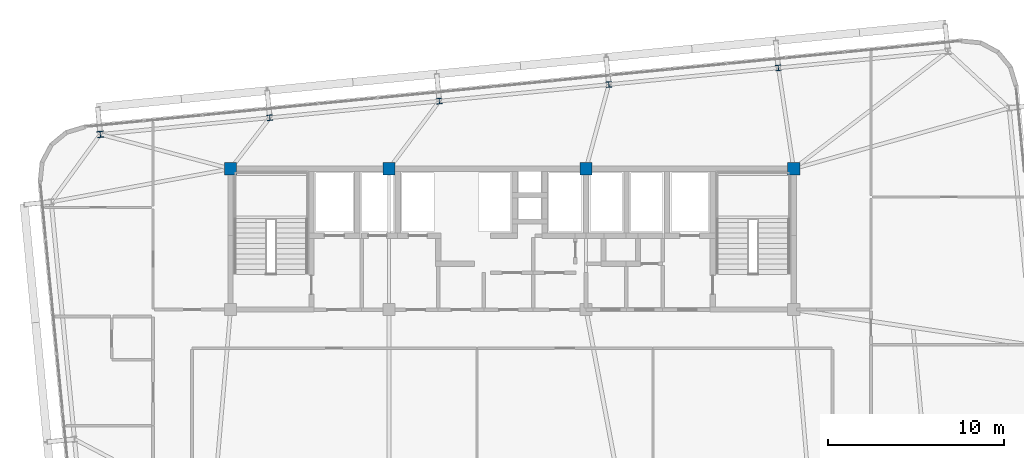
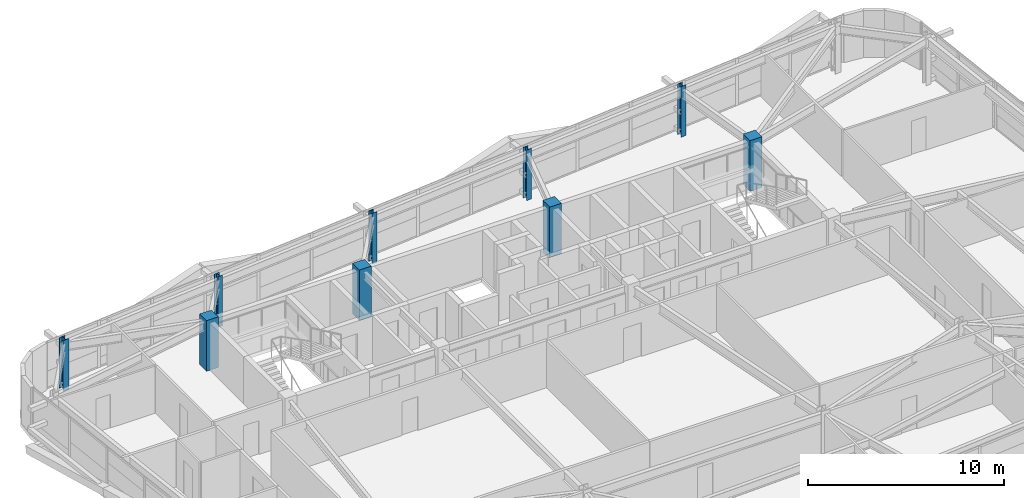
# One storey, part 3 of 53: 9 columns.
"""IFC4 building model written with IfcOpenShell, lengths in metres."""

from ifc_helpers import new_model, si_unit, direction, frame, origin, origin_2d, place, context, subcontext, project, spatial, rectangle, i_section, extrude, source, transform, mapped, material, material_profile, profile_set, type_object, element, save


model = new_model("IFC4")

# Units and contexts
model_context = context("Model", 3, precision=1e-05, world=origin(), true_north=direction((0.0, 1.0)))
body_context = subcontext(model_context, "Body", "Model", "MODEL_VIEW")
ifc_project = project(units=[si_unit("LENGTHUNIT", "METRE"), si_unit("AREAUNIT", "SQUARE_METRE"), si_unit("VOLUMEUNIT", "CUBIC_METRE"), si_unit("PLANEANGLEUNIT", "RADIAN"), si_unit("MASSUNIT", "GRAM", prefix="KILO")], contexts=[model_context])

# Site, building, storey
site_placement = place(None, origin())
site = spatial("IfcSite", under=ifc_project, at=site_placement, CompositionType="ELEMENT")
building_placement = place(site_placement, origin())
building = spatial("IfcBuilding", under=site, at=building_placement, Name="Taldren Reach Tower", CompositionType="ELEMENT")
storey_placement = place(building_placement, frame((0.0, 0.0, 80.85009765625)))
storey = spatial("IfcBuildingStorey", under=building, at=storey_placement, Name="L24", CompositionType="ELEMENT", Elevation=80.85009765625)

# Columns
ifc_material_1 = material(Name="Concrete S65 (65 MPa)", Category="concrete")
ifc_material_profile_1 = material_profile(ifc_material_1, rectangle(XDim=0.699951171875, YDim=0.699951171875, at=origin_2d()), Name="RC-700x700")
ifc_profile_set_1 = profile_set([ifc_material_profile_1], Name="Concrete S65 (65 MPa)")
column_type_1 = type_object("IfcColumnType", Name="COL-RC700", PredefinedType="COLUMN", material=ifc_profile_set_1)
shared_shape_1 = source(origin(), body_context, "Body", "SweptSolid", [
    extrude(rectangle(XDim=0.699951171875, YDim=0.699951171875, at=origin_2d()), origin(), (0.0, 0.0, 1.0), 3.14990234375),
])
for number, where, z_axis, x_axis, name in (
    (1, (19.0, 32.0, 0.0), (0.0, 0.0, 1.0), (1.0, 0.0, 0.0), "Mega column MC-C5 L24"),
    (2, (28.0, 32.0, 0.0), (0.0, 0.0, 1.0), (1.0, 0.0, 0.0), "Mega column MC-C6 L24"),
    (3, (39.199951171875, 32.0, 0.0), (0.0, 0.0, 1.0), (1.0, 0.0, 0.0), "Mega column MC-C7 L24"),
    (4, (51.0, 32.0, 0.0), (0.0, 0.0, 1.0), (1.0, 0.0, 0.0), "Mega column MC-C8 L24"),
):
    element("IfcColumn", number, at=place(storey_placement, frame(where, z_axis=z_axis, x_axis=x_axis)), inside=storey, type_object=column_type_1, Name=name, PredefinedType="COLUMN", context=body_context, shape_type="MappedRepresentation", body=[
        mapped(shared_shape_1, transform((0.0, 0.0, 0.0), scale=1.0)),
    ])
ifc_material_2 = material(Name="Steel Gr 350 (350PLUS)", Category="steel")
ifc_material_profile_2 = material_profile(ifc_material_2, i_section(OverallWidth=0.35009765625, OverallDepth=0.35595703125, WebThickness=0.01806640625, FlangeThickness=0.028076171875, at=origin_2d()), Name="350WC197")
ifc_profile_set_2 = profile_set([ifc_material_profile_2], Name="Steel Gr 350 (350PLUS)")
column_type_2 = type_object("IfcColumnType", Name="COL-WC350", PredefinedType="COLUMN", material=ifc_profile_set_2)
shared_shape_2 = source(origin(), body_context, "Body", "SweptSolid", [
    extrude(i_section(OverallWidth=0.35009765625, OverallDepth=0.35595703125, WebThickness=0.01806640625, FlangeThickness=0.028076171875, at=origin_2d()), origin(), (0.0, 0.0, 1.0), 3.14990234375),
])
column_placement = place(storey_placement, frame((11.596923828125, 33.956787109375, 0.0), z_axis=(0.0, 0.0, 1.0), x_axis=(0.995227399982, 0.097582899759, 0.0)))
element("IfcColumn", 5, at=column_placement, inside=storey, type_object=column_type_2, Name="Block B2 perimeter column N1 L24", PredefinedType="COLUMN", context=body_context, shape_type="MappedRepresentation", body=[
    mapped(shared_shape_2, transform((0.0, 0.0, 0.0), scale=1.0)),
])
ifc_material_profile_3 = material_profile(ifc_material_2, i_section(OverallWidth=0.306884765625, OverallDepth=0.31494140625, WebThickness=0.011962890625, FlangeThickness=0.018798828125, at=origin_2d()), Name="310UC118")
ifc_profile_set_3 = profile_set([ifc_material_profile_3], Name="Steel Gr 350 (350PLUS)")
column_type_3 = type_object("IfcColumnType", Name="COL-UC310B", PredefinedType="COLUMN", material=ifc_profile_set_3)
shared_shape_3 = source(origin(), body_context, "Body", "SweptSolid", [
    extrude(i_section(OverallWidth=0.306884765625, OverallDepth=0.31494140625, WebThickness=0.011962890625, FlangeThickness=0.018798828125, at=origin_2d()), origin(), (0.0, 0.0, 1.0), 3.14990234375),
])
for number, where, z_axis, x_axis, name in (
    (6, (21.230712890625, 34.9013671875, 0.0), (0.0, 0.0, 1.0), (0.995227399982, 0.097582899759, 0.0), "Block B2 perimeter column N2 L24"),
    (7, (30.864501953125, 35.84619140625, 0.0), (0.0, 0.0, 1.0), (0.995227399982, 0.097582899759, 0.0), "Block B2 perimeter column N3 L24"),
    (8, (40.498291015625, 36.790771484375, 0.0), (0.0, 0.0, 1.0), (0.995227399982, 0.097582899759, 0.0), "Block B2 perimeter column N4 L24"),
    (9, (50.132080078125, 37.7353515625, 0.0), (0.0, 0.0, 1.0), (0.995227399982, 0.097582899759, 0.0), "Block B2 perimeter column N5 L24"),
):
    element("IfcColumn", number, at=place(storey_placement, frame(where, z_axis=z_axis, x_axis=x_axis)), inside=storey, type_object=column_type_3, Name=name, PredefinedType="COLUMN", context=body_context, shape_type="MappedRepresentation", body=[
        mapped(shared_shape_3, transform((0.0, 0.0, 0.0), scale=1.0)),
    ])

save(model, "model.ifc")
